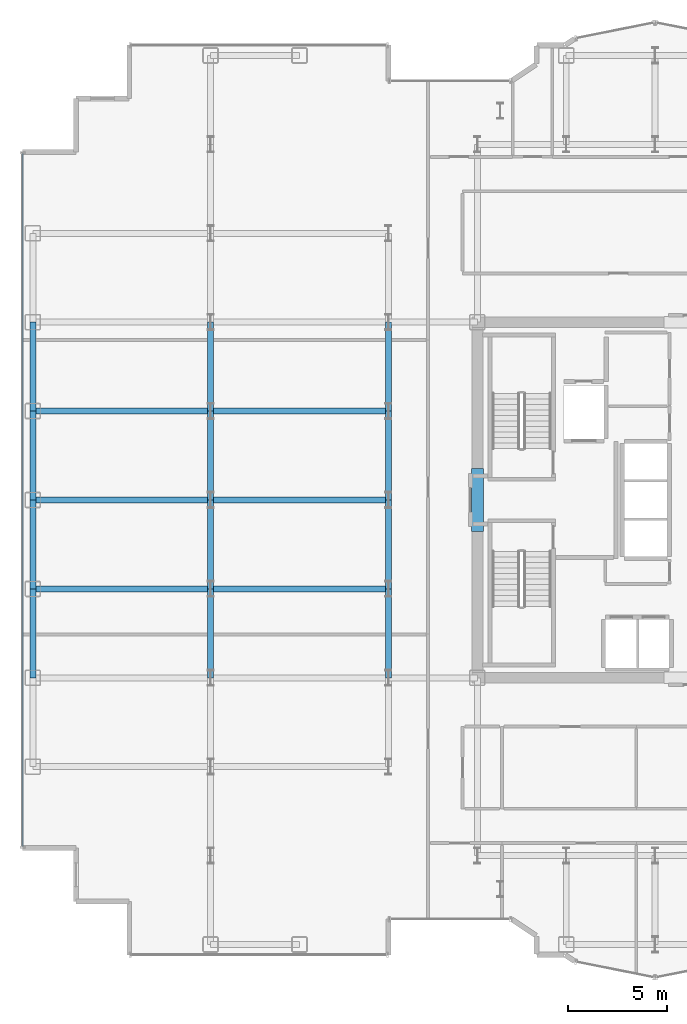
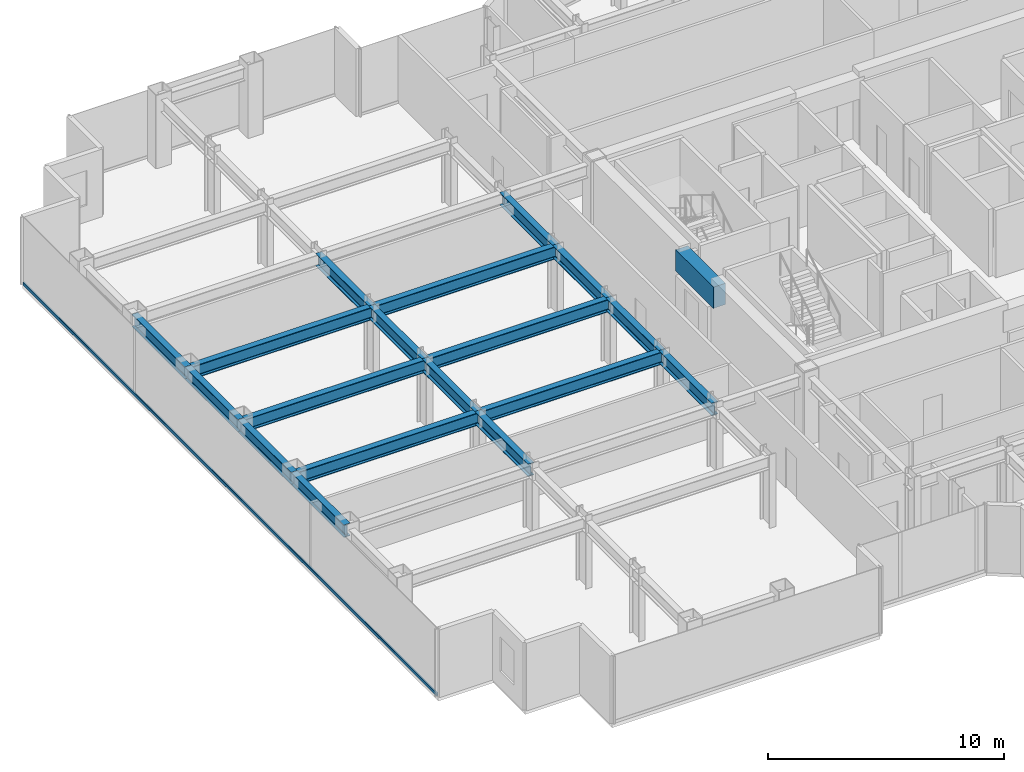
# One storey, part 6 of 23: 19 beams, 1 member, 1 element without a shape of its own.
"""IFC4 building model written with IfcOpenShell, lengths in metres."""

from ifc_helpers import new_model, si_unit, direction, frame, origin, origin_2d, place, context, subcontext, project, spatial, rectangle, hollow_rectangle, i_section, extrude, source, transform, mapped, material, layer, layer_set, material_profile, profile_set, type_object, element, aggregate, save


model = new_model("IFC4")

# Units and contexts
model_context = context("Model", 3, precision=1e-05, world=origin(), true_north=direction((0.0, 1.0)))
body_context = subcontext(model_context, "Body", "Model", "MODEL_VIEW")
ifc_project = project(units=[si_unit("LENGTHUNIT", "METRE"), si_unit("AREAUNIT", "SQUARE_METRE"), si_unit("VOLUMEUNIT", "CUBIC_METRE"), si_unit("PLANEANGLEUNIT", "RADIAN"), si_unit("MASSUNIT", "GRAM", prefix="KILO")], contexts=[model_context])

# Site, building, storey
site_placement = place(None, origin())
site = spatial("IfcSite", under=ifc_project, at=site_placement, CompositionType="ELEMENT")
building_placement = place(site_placement, origin())
building = spatial("IfcBuilding", under=site, at=building_placement, Name="Nefas-Gora Pilgrimage Tower", CompositionType="ELEMENT")
storey_placement = place(building_placement, frame((0.0, 0.0, 198.199951171875)))
storey = spatial("IfcBuildingStorey", under=building, at=storey_placement, Name="L49", CompositionType="ELEMENT", Elevation=198.199951171875)

# Beams
ifc_material_1 = material(Name="Concrete C60/75", Category="concrete")
ifc_material_profile_1 = material_profile(ifc_material_1, rectangle(XDim=0.60009765625, YDim=1.10009765625, at=origin_2d()), Name="RC 600x1100")
ifc_profile_set_1 = profile_set([ifc_material_profile_1], Name="Concrete C60/75")
beam_type_1 = type_object("IfcBeamType", Name="BM-LIN-RC1100", PredefinedType="LINTEL", material=ifc_profile_set_1)
shared_shape_1 = source(origin(), body_context, "Body", "SweptSolid", [
    extrude(rectangle(XDim=0.60009765625, YDim=1.10009765625, at=origin_2d()), origin(), (0.0, 0.0, 1.0), 3.2001953125),
])
beam_placement = place(storey_placement, frame((-11.25, -1.60009765625, 2.949951171875), z_axis=(0.0, 1.0, 0.0), x_axis=(-1.0, 0.0, 0.0)))
element("IfcBeam", 1, at=beam_placement, inside=storey, type_object=beam_type_1, Name="L49 Core Coupling Lintel Beam W", PredefinedType="LINTEL", context=body_context, shape_type="MappedRepresentation", body=[
    mapped(shared_shape_1, transform((0.0, 0.0, 0.0), x_axis=(1.0, 0.0, 0.0), y_axis=(0.0, 1.0, 0.0), z_axis=(0.0, 0.0, 1.0), scale=1.0)),
])
ifc_material_2 = material(Name="Steel S355", Category="steel")
ifc_material_profile_2 = material_profile(ifc_material_2, i_section(OverallWidth=0.300048828125, OverallDepth=0.64990234375, WebThickness=0.01611328125, FlangeThickness=0.031005859375, FilletRadius=0.027099609375, at=origin_2d()), Name="HEB 650")
ifc_profile_set_2 = profile_set([ifc_material_profile_2], Name="Steel S355")
beam_type_2 = type_object("IfcBeamType", Name="BM-SPN-HEB500", PredefinedType="SPANDREL", material=ifc_profile_set_2)
shared_shape_2 = source(origin(), body_context, "Body", "SweptSolid", [
    extrude(i_section(OverallWidth=0.300048828125, OverallDepth=0.64990234375, WebThickness=0.01611328125, FlangeThickness=0.031005859375, FilletRadius=0.027099609375, at=origin_2d()), origin(), (0.0, 0.0, 1.0), 4.5),
])
for number, where, z_axis, x_axis, name in (
    (2, (-33.75, -9.0, 3.175048828125), (0.0, 1.0, 0.0), (-1.0, 0.0, 0.0), "L49 SP-02 beam"),
    (3, (-33.75, -4.5, 3.175048828125), (0.0, 1.0, 0.0), (-1.0, 0.0, 0.0), "L49 SP-02 beam"),
    (4, (-33.75, 0.0, 3.175048828125), (0.0, 1.0, 0.0), (-1.0, 0.0, 0.0), "L49 SP-02 beam"),
    (5, (-33.75, 4.5, 3.175048828125), (0.0, 1.0, 0.0), (-1.0, 0.0, 0.0), "L49 SP-02 beam"),
):
    element("IfcBeam", number, at=place(storey_placement, frame(where, z_axis=z_axis, x_axis=x_axis)), inside=storey, type_object=beam_type_2, Name=name, PredefinedType="SPANDREL", context=body_context, shape_type="MappedRepresentation", body=[
        mapped(shared_shape_2, transform((0.0, 0.0, 0.0), x_axis=(1.0, 0.0, 0.0), y_axis=(0.0, 1.0, 0.0), z_axis=(0.0, 0.0, 1.0), scale=1.0)),
    ])
ifc_material_profile_3 = material_profile(ifc_material_2, i_section(OverallWidth=0.300048828125, OverallDepth=0.64990234375, WebThickness=0.01611328125, FlangeThickness=0.031005859375, FilletRadius=0.027099609375, at=origin_2d()), Name="HEB 650")
ifc_profile_set_3 = profile_set([ifc_material_profile_3], Name="Steel S355")
beam_type_3 = type_object("IfcBeamType", Name="BM-GIR-HEB650", PredefinedType="BEAM", material=ifc_profile_set_3)
shared_shape_3 = source(origin(), body_context, "Body", "SweptSolid", [
    extrude(i_section(OverallWidth=0.300048828125, OverallDepth=0.64990234375, WebThickness=0.01611328125, FlangeThickness=0.031005859375, FilletRadius=0.027099609375, at=origin_2d()), origin(), (0.0, 0.0, 1.0), 9.0),
])
for number, where, z_axis, x_axis, name in (
    (6, (-33.75, -4.5, 3.175048828125), (1.0, 0.0, 0.0), (0.0, 1.0, 0.0), "L49 G-03 beam"),
    (7, (-33.75, 0.0, 3.175048828125), (1.0, 0.0, 0.0), (0.0, 1.0, 0.0), "L49 G-03 beam"),
    (8, (-33.75, 4.5, 3.175048828125), (1.0, 0.0, 0.0), (0.0, 1.0, 0.0), "L49 G-03 beam"),
    (9, (-24.75, -4.5, 3.175048828125), (1.0, 0.0, 0.0), (0.0, 1.0, 0.0), "L49 G-03 beam"),
    (10, (-24.75, 0.0, 3.175048828125), (1.0, 0.0, 0.0), (0.0, 1.0, 0.0), "L49 G-03 beam"),
    (11, (-24.75, 4.5, 3.175048828125), (1.0, 0.0, 0.0), (0.0, 1.0, 0.0), "L49 G-03 beam"),
):
    element("IfcBeam", number, at=place(storey_placement, frame(where, z_axis=z_axis, x_axis=x_axis)), inside=storey, type_object=beam_type_3, Name=name, PredefinedType="BEAM", context=body_context, shape_type="MappedRepresentation", body=[
        mapped(shared_shape_3, transform((0.0, 0.0, 0.0), x_axis=(1.0, 0.0, 0.0), y_axis=(0.0, 1.0, 0.0), z_axis=(0.0, 0.0, 1.0), scale=1.0)),
    ])
shared_shape_4 = source(origin(), body_context, "Body", "SweptSolid", [
    extrude(i_section(OverallWidth=0.300048828125, OverallDepth=0.64990234375, WebThickness=0.01611328125, FlangeThickness=0.031005859375, FilletRadius=0.027099609375, at=origin_2d()), origin(), (0.0, 0.0, 1.0), 4.5),
])
for number, where, z_axis, x_axis, name in (
    (12, (-24.75, -9.0, 3.175048828125), (0.0, 1.0, 0.0), (-1.0, 0.0, 0.0), "L49 G-03 beam"),
    (13, (-24.75, -4.5, 3.175048828125), (0.0, 1.0, 0.0), (-1.0, 0.0, 0.0), "L49 G-03 beam"),
    (14, (-24.75, 0.0, 3.175048828125), (0.0, 1.0, 0.0), (-1.0, 0.0, 0.0), "L49 G-03 beam"),
    (15, (-24.75, 4.5, 3.175048828125), (0.0, 1.0, 0.0), (-1.0, 0.0, 0.0), "L49 G-03 beam"),
    (16, (-15.75, -9.0, 3.175048828125), (0.0, 1.0, 0.0), (-1.0, 0.0, 0.0), "L49 G-03 beam"),
    (17, (-15.75, -4.5, 3.175048828125), (0.0, 1.0, 0.0), (-1.0, 0.0, 0.0), "L49 G-03 beam"),
    (18, (-15.75, 0.0, 3.175048828125), (0.0, 1.0, 0.0), (-1.0, 0.0, 0.0), "L49 G-03 beam"),
    (19, (-15.75, 4.5, 3.175048828125), (0.0, 1.0, 0.0), (-1.0, 0.0, 0.0), "L49 G-03 beam"),
):
    element("IfcBeam", number, at=place(storey_placement, frame(where, z_axis=z_axis, x_axis=x_axis)), inside=storey, type_object=beam_type_3, Name=name, PredefinedType="BEAM", context=body_context, shape_type="MappedRepresentation", body=[
        mapped(shared_shape_4, transform((0.0, 0.0, 0.0), x_axis=(1.0, 0.0, 0.0), y_axis=(0.0, 1.0, 0.0), z_axis=(0.0, 0.0, 1.0), scale=1.0)),
    ])

# Curtain wall, member
ifc_material_3 = material(Name="Dark ceramic-fritted solar-control aluminium-glass curtain wall", Category="aluminium")
ifc_layer = layer(ifc_material_3, 0.219970703125)
ifc_layer_set = layer_set([ifc_layer], Name="Dark ceramic-fritted solar-control aluminium-glass curtain wall")
curtain_wall_type = type_object("IfcCurtainWallType", Name="CW-SYS-3", PredefinedType="NOTDEFINED", material=ifc_layer_set)
curtain_wall_placement = place(storey_placement, origin())
curtain_wall = element("IfcCurtainWall", 20, at=curtain_wall_placement, inside=storey, type_object=curtain_wall_type, Name="L49 Unitised Curtain Wall CW3", PredefinedType="NOTDEFINED")
ifc_material_4 = material(Name="Anodised architectural aluminium", Category="aluminium")
ifc_material_profile_4 = material_profile(ifc_material_4, hollow_rectangle(XDim=0.080078125, YDim=0.159912109375, WallThickness=0.00439453125, InnerFilletRadius=0.00439453125, OuterFilletRadius=0.009033203125, at=origin_2d()), Name="ALU TRANSOM 80x160")
ifc_profile_set_4 = profile_set([ifc_material_profile_4], Name="Anodised architectural aluminium")
member_type = type_object("IfcMemberType", Name="CWM-TRN-3", PredefinedType="USERDEFINED", material=ifc_profile_set_4)
shared_shape_5 = source(origin(), body_context, "Body", "SweptSolid", [
    extrude(hollow_rectangle(XDim=0.080078125, YDim=0.159912109375, WallThickness=0.00439453125, InnerFilletRadius=0.00439453125, OuterFilletRadius=0.009033203125, at=origin_2d()), origin(), (0.0, 0.0, 1.0), 35.06005859375),
])
member_placement = place(storey_placement, frame((-34.27001953125, 17.530029296875, 0.050048828125), z_axis=(0.0, -1.0, 0.0), x_axis=(1.0, 0.0, 0.0)))
member = element("IfcMember", 21, at=member_placement, type_object=member_type, Name="CW3 Spandrel Transom", ObjectType="TRANSOM", PredefinedType="USERDEFINED", context=body_context, shape_type="MappedRepresentation", body=[
    mapped(shared_shape_5, transform((0.0, 0.0, 0.0), x_axis=(1.0, 0.0, 0.0), y_axis=(0.0, 1.0, 0.0), z_axis=(0.0, 0.0, 1.0), scale=1.0)),
])
aggregate(curtain_wall, [member])

save(model, "model.ifc")
